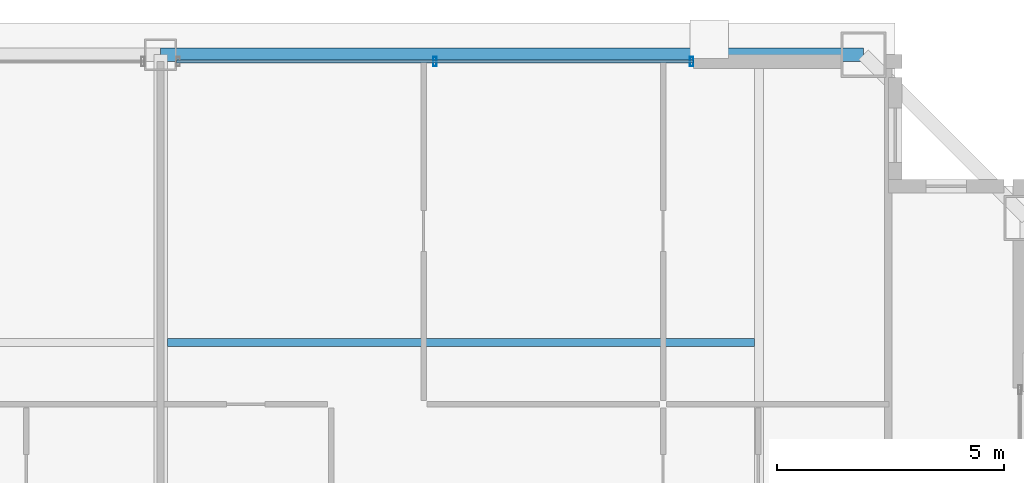
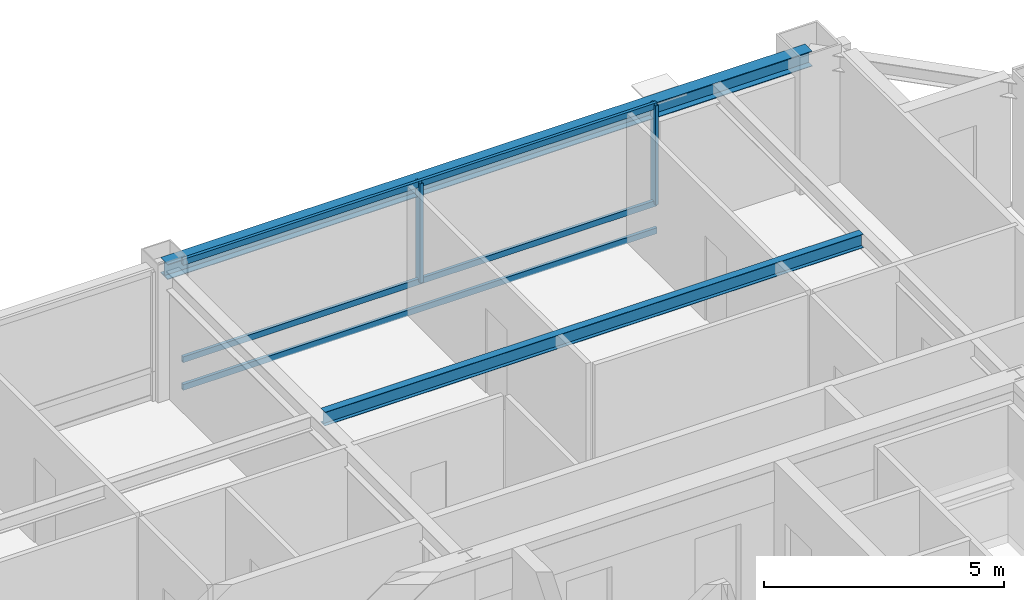
# One storey, part 19 of 35: 5 members, 2 beams, 1 element without a shape of its own.
"""IFC4 building model written with IfcOpenShell, lengths in metres."""

from ifc_helpers import new_model, si_unit, direction, frame, origin, origin_2d, place, context, subcontext, project, spatial, hollow_rectangle, i_section, extrude, source, transform, mapped, material, layer, layer_set, material_profile, profile_set, type_object, element, aggregate, save


model = new_model("IFC4")

# Units and contexts
model_context = context("Model", 3, precision=1e-05, world=origin(), true_north=direction((0.0, 1.0)))
body_context = subcontext(model_context, "Body", "Model", "MODEL_VIEW")
ifc_project = project(units=[si_unit("LENGTHUNIT", "METRE"), si_unit("AREAUNIT", "SQUARE_METRE"), si_unit("VOLUMEUNIT", "CUBIC_METRE"), si_unit("PLANEANGLEUNIT", "RADIAN"), si_unit("MASSUNIT", "GRAM", prefix="KILO"), si_unit("THERMODYNAMICTEMPERATUREUNIT", "KELVIN"), si_unit("POWERUNIT", "WATT")], contexts=[model_context])

# Site, building, storey
site_placement = place(None, origin())
site = spatial("IfcSite", under=ifc_project, at=site_placement, CompositionType="ELEMENT")
building_placement = place(site_placement, origin())
building = spatial("IfcBuilding", under=site, at=building_placement, Name="Yuzanri Waterfront Tower", CompositionType="ELEMENT")
storey_placement = place(building_placement, frame((0.0, 0.0, 318.199951171875)))
storey = spatial("IfcBuildingStorey", under=building, at=storey_placement, Name="L85", CompositionType="ELEMENT", Elevation=318.199951171875)

# Beams
ifc_material_1 = material(Name="Steel Q355B", Category="steel")
ifc_material_profile_1 = material_profile(ifc_material_1, i_section(OverallWidth=0.175048828125, OverallDepth=0.35009765625, WebThickness=0.007080078125, FlangeThickness=0.010986328125, at=origin_2d()), Name="HN 350x175x7x11")
ifc_profile_set_1 = profile_set([ifc_material_profile_1], Name="Steel Q355B")
beam_type_1 = type_object("IfcBeamType", Name="Floor Joist Q355B HN 350x175", PredefinedType="JOIST", material=ifc_profile_set_1)
shared_shape_1 = source(origin(), body_context, "Body", "SweptSolid", [
    extrude(i_section(OverallWidth=0.175048828125, OverallDepth=0.35009765625, WebThickness=0.007080078125, FlangeThickness=0.010986328125, at=origin_2d()), origin(), (0.0, 0.0, 1.0), 12.9501953125),
])
beam_1_placement = place(storey_placement, frame((37.14990234375, 38.550048828125, 3.10498046875), z_axis=(1.0, 0.0, 0.0), x_axis=(0.0, 1.0, 0.0)))
element("IfcBeam", 1, at=beam_1_placement, inside=storey, type_object=beam_type_1, Name="L85 North Bay Joist E", PredefinedType="JOIST", context=body_context, shape_type="MappedRepresentation", body=[
    mapped(shared_shape_1, transform((0.0, 0.0, 0.0), scale=1.0)),
])
ifc_material_2 = material(Name="Steel Q355B", Category="steel")
ifc_material_profile_2 = material_profile(ifc_material_2, i_section(OverallWidth=0.300048828125, OverallDepth=0.389892578125, WebThickness=0.010009765625, FlangeThickness=0.01611328125, at=origin_2d()), Name="HM 390x300x10x16")
ifc_profile_set_2 = profile_set([ifc_material_profile_2], Name="Steel Q355B")
beam_type_2 = type_object("IfcBeamType", Name="Perimeter Spandrel Q355B HM 390x300", PredefinedType="SPANDREL", material=ifc_profile_set_2)
shared_shape_2 = source(origin(), body_context, "Body", "SweptSolid", [
    extrude(i_section(OverallWidth=0.300048828125, OverallDepth=0.389892578125, WebThickness=0.010009765625, FlangeThickness=0.01611328125, at=origin_2d()), origin(), (0.0, 0.0, 1.0), 15.5),
])
beam_2_placement = place(storey_placement, frame((52.5, 44.89990234375, 3.0849609375), z_axis=(-1.0, 0.0, 0.0), x_axis=(0.0, -1.0, 0.0)))
element("IfcBeam", 2, at=beam_2_placement, inside=storey, type_object=beam_type_2, Name="L85 Perimeter Spandrel N3-N2", PredefinedType="SPANDREL", context=body_context, shape_type="MappedRepresentation", body=[
    mapped(shared_shape_2, transform((0.0, 0.0, 0.0), scale=1.0)),
])

# Curtain wall, members
ifc_material_3 = material(Name="Anodized Architectural Bronze", Category="metal")
ifc_layer = layer(ifc_material_3, 0.159912109375)
ifc_layer_set = layer_set([ifc_layer], Name="Anodized Architectural Bronze")
curtain_wall_type = type_object("IfcCurtainWallType", Name="Anodized Bronze High-Rise Penthouse High-Wind Unitized Curtain Wall 6900", PredefinedType="NOTDEFINED", material=ifc_layer_set)
curtain_wall_placement = place(storey_placement, origin())
curtain_wall = element("IfcCurtainWall", 3, at=curtain_wall_placement, inside=storey, type_object=curtain_wall_type, Name="L85 Curtain Wall CW-L85-NR", PredefinedType="NOTDEFINED")
ifc_material_4 = material(Name="Anodized Architectural Bronze", Category="metal")
ifc_material_profile_3 = material_profile(ifc_material_4, hollow_rectangle(XDim=0.074951171875, YDim=0.199951171875, WallThickness=0.00390625, at=origin_2d()), Name="CWM 75x200")
ifc_profile_set_3 = profile_set([ifc_material_profile_3], Name="Anodized Architectural Bronze")
member_type_1 = type_object("IfcMemberType", Name="Anodized Bronze Primary Curtain-Wall Mullion 75x200", PredefinedType="MULLION", material=ifc_profile_set_3)
shared_shape_3 = source(origin(), body_context, "Body", "SweptSolid", [
    extrude(hollow_rectangle(XDim=0.074951171875, YDim=0.199951171875, WallThickness=0.00390625, at=origin_2d()), origin(), (0.0, 0.0, 1.0), 2.52392578125),
])
member_1_placement = place(storey_placement, frame((43.050048828125, 44.75, 0.756103515625), z_axis=(0.0, 0.0, 1.0), x_axis=(1.0, 0.0, 0.0)))
member_1 = element("IfcMember", 4, at=member_1_placement, type_object=member_type_1, Name="CW-L85-NR Upper Mullion 01", PredefinedType="MULLION", context=body_context, shape_type="MappedRepresentation", body=[
    mapped(shared_shape_3, transform((0.0, 0.0, 0.0), scale=1.0)),
])
member_2_placement = place(storey_placement, frame((48.7099609375, 44.75, 0.756103515625), z_axis=(0.0, 0.0, 1.0), x_axis=(1.0, 0.0, 0.0)))
member_2 = element("IfcMember", 5, at=member_2_placement, type_object=member_type_1, Name="CW-L85-NR Upper Mullion 02", PredefinedType="MULLION", context=body_context, shape_type="MappedRepresentation", body=[
    mapped(shared_shape_3, transform((0.0, 0.0, 0.0), scale=1.0)),
])
ifc_material_5 = material(Name="Anodized Architectural Bronze", Category="metal")
ifc_material_profile_4 = material_profile(ifc_material_5, hollow_rectangle(XDim=0.074951171875, YDim=0.14990234375, WallThickness=0.00390625, at=origin_2d()), Name="CWT 75x150")
ifc_profile_set_4 = profile_set([ifc_material_profile_4], Name="Anodized Architectural Bronze")
member_type_2 = type_object("IfcMemberType", Name="Anodized Bronze Primary Curtain-Wall Transom 75x150", PredefinedType="USERDEFINED", material=ifc_profile_set_4)
shared_shape_4 = source(origin(), body_context, "Body", "SweptSolid", [
    extrude(hollow_rectangle(XDim=0.074951171875, YDim=0.14990234375, WallThickness=0.00390625, at=origin_2d()), origin(), (0.0, 0.0, 1.0), 11.39990234375),
])
member_3_placement = place(storey_placement, frame((37.35009765625, 44.75, 0.050048828125), z_axis=(1.0, 0.0, 0.0), x_axis=(0.0, 1.0, 0.0)))
member_3 = element("IfcMember", 6, at=member_3_placement, type_object=member_type_2, Name="CW-L85-NR Transom 1", ObjectType="TRANSOM", PredefinedType="USERDEFINED", context=body_context, shape_type="MappedRepresentation", body=[
    mapped(shared_shape_4, transform((0.0, 0.0, 0.0), scale=1.0)),
])
member_4_placement = place(storey_placement, frame((37.35009765625, 44.75, 0.754150390625), z_axis=(1.0, 0.0, 0.0), x_axis=(0.0, 1.0, 0.0)))
member_4 = element("IfcMember", 7, at=member_4_placement, type_object=member_type_2, Name="CW-L85-NR Transom 2", ObjectType="TRANSOM", PredefinedType="USERDEFINED", context=body_context, shape_type="MappedRepresentation", body=[
    mapped(shared_shape_4, transform((0.0, 0.0, 0.0), scale=1.0)),
])
member_5_placement = place(storey_placement, frame((37.35009765625, 44.75, 3.22998046875), z_axis=(1.0, 0.0, 0.0), x_axis=(0.0, 1.0, 0.0)))
member_5 = element("IfcMember", 8, at=member_5_placement, type_object=member_type_2, Name="CW-L85-NR Transom 3", ObjectType="TRANSOM", PredefinedType="USERDEFINED", context=body_context, shape_type="MappedRepresentation", body=[
    mapped(shared_shape_4, transform((0.0, 0.0, 0.0), scale=1.0)),
])
aggregate(curtain_wall, [member_1, member_2, member_3, member_4, member_5])

save(model, "model.ifc")
